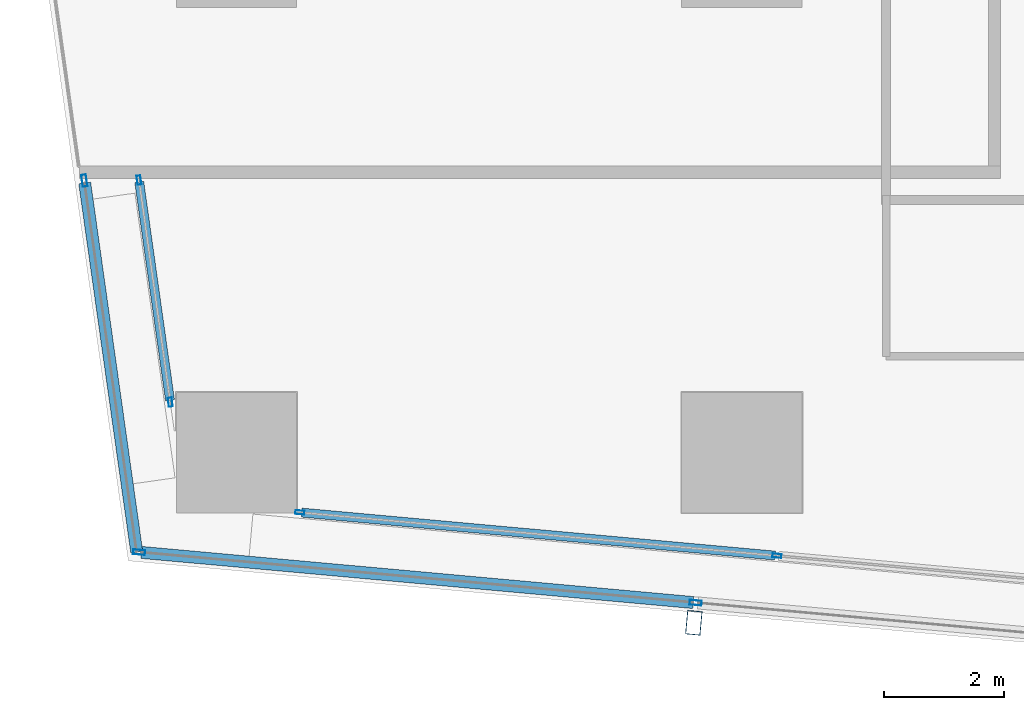
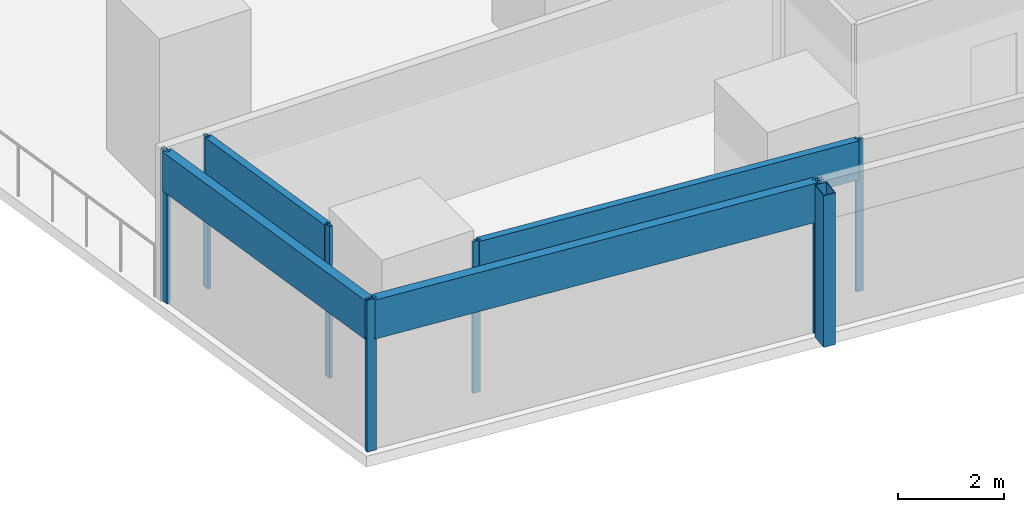
# One storey, part 2 of 36: 12 members, 4 elements without a shape of their own.
"""IFC4 building model written with IfcOpenShell, lengths in metres."""

from ifc_helpers import new_model, si_unit, direction, frame, origin, origin_2d, place, context, subcontext, project, spatial, hollow_rectangle, extrude, material, material_profile, profile_set, type_object, element, aggregate, save


model = new_model("IFC4")

# Units and contexts
model_context = context("Model", 3, precision=1e-05, world=origin(), true_north=direction((0.0, 1.0)))
body_context = subcontext(model_context, "Body", "Model", "MODEL_VIEW")
ifc_project = project(units=[si_unit("LENGTHUNIT", "METRE"), si_unit("AREAUNIT", "SQUARE_METRE"), si_unit("VOLUMEUNIT", "CUBIC_METRE"), si_unit("PLANEANGLEUNIT", "RADIAN"), si_unit("MASSUNIT", "GRAM", prefix="KILO")], contexts=[model_context])

# Site, building, storey
site_placement = place(None, origin())
site = spatial("IfcSite", under=ifc_project, at=site_placement, CompositionType="ELEMENT")
building_placement = place(site_placement, origin())
building = spatial("IfcBuilding", under=site, at=building_placement, Name="Rekha Terrace Tower", CompositionType="ELEMENT")
storey_placement = place(building_placement, frame((0.0, 0.0, 144.050048828125)))
storey = spatial("IfcBuildingStorey", under=building, at=storey_placement, Name="L36", CompositionType="ELEMENT", Elevation=144.050048828125)

# Curtain wall, member
ifc_material_1 = material(Name="Aluminium framing", Category="aluminium")
curtain_wall_type_1 = type_object("IfcCurtainWallType", Name="CW2 double skin outer glazing", PredefinedType="USERDEFINED", material=ifc_material_1)
curtain_wall_1_placement = place(storey_placement, origin())
curtain_wall_1 = element("IfcCurtainWall", 1, at=curtain_wall_1_placement, inside=storey, type_object=curtain_wall_type_1, Name="CW2 double skin outer glazing", ObjectType="DOUBLE SKIN OUTER GLAZING", PredefinedType="USERDEFINED")
ifc_material_2 = material(Name="Steel S355 with fluorocarbon finish", Category="steel")
ifc_material_profile_1 = material_profile(ifc_material_2, hollow_rectangle(XDim=0.25, YDim=0.39990234375, WallThickness=0.012451171875, at=origin_2d()), Name="RHS400x250x12.5")
ifc_profile_set_1 = profile_set([ifc_material_profile_1], Name="Steel S355 with fluorocarbon finish")
member_type_1 = type_object("IfcMemberType", Name="BL1 facade blade RHS 400 x 250", PredefinedType="USERDEFINED", material=ifc_profile_set_1)
member_1_placement = place(storey_placement, frame((16.002197265625, 13.970458984375, 0.0), z_axis=(0.0, 0.0, 1.0), x_axis=(0.995901938317, -0.090439644273, 0.0)))
member_1 = element("IfcMember", 2, at=member_1_placement, type_object=member_type_1, Name="Facade blade", ObjectType="FACADE BLADE", PredefinedType="USERDEFINED", context=body_context, shape_type="SweptSolid", body=[
    extrude(hollow_rectangle(XDim=0.25, YDim=0.39990234375, WallThickness=0.012451171875, at=origin_2d()), origin(), (0.0, 0.0, 1.0), 3.5),
])

# Curtain wall, members
curtain_wall_type_2 = type_object("IfcCurtainWallType", Name="CW1 double skin inner glazing", PredefinedType="USERDEFINED", material=ifc_material_1)
curtain_wall_2_placement = place(storey_placement, origin())
curtain_wall_2 = element("IfcCurtainWall", 3, at=curtain_wall_2_placement, inside=storey, type_object=curtain_wall_type_2, Name="CW1 double skin inner glazing", ObjectType="DOUBLE SKIN INNER GLAZING", PredefinedType="USERDEFINED")
ifc_material_3 = material(Name="Aluminium mullion section", Category="aluminium")
ifc_material_profile_2 = material_profile(ifc_material_3, hollow_rectangle(XDim=0.06494140625, YDim=0.14990234375, WallThickness=0.00390625, at=origin_2d()), Name="AL RHS 65x150")
ifc_profile_set_2 = profile_set([ifc_material_profile_2], Name="Aluminium mullion section")
member_type_2 = type_object("IfcMemberType", Name="CW1 mullion RHS 65 x 150", PredefinedType="MULLION", material=ifc_profile_set_2)
member_2_placement = place(storey_placement, frame((9.453125, 15.80517578125, 0.0), z_axis=(0.0, 0.0, 1.0), x_axis=(0.090439811381, 0.995901923142, 0.0)))
member_2 = element("IfcMember", 4, at=member_2_placement, type_object=member_type_2, Name="CW1 mullion 1", PredefinedType="MULLION", context=body_context, shape_type="SweptSolid", body=[
    extrude(hollow_rectangle(XDim=0.06494140625, YDim=0.14990234375, WallThickness=0.00390625, at=origin_2d()), origin(), (0.0, 0.0, 1.0), 3.5),
])
member_3_placement = place(storey_placement, frame((17.384033203125, 15.0849609375, 0.0), z_axis=(0.0, 0.0, 1.0), x_axis=(0.090439811381, 0.995901923142, 0.0)))
member_3 = element("IfcMember", 5, at=member_3_placement, type_object=member_type_2, Name="CW1 mullion 2", PredefinedType="MULLION", context=body_context, shape_type="SweptSolid", body=[
    extrude(hollow_rectangle(XDim=0.06494140625, YDim=0.14990234375, WallThickness=0.00390625, at=origin_2d()), origin(), (0.0, 0.0, 1.0), 3.5),
])

curtain_wall_3_placement = place(storey_placement, origin())
curtain_wall_3 = element("IfcCurtainWall", 6, at=curtain_wall_3_placement, inside=storey, type_object=curtain_wall_type_2, Name="CW1 double skin inner glazing", ObjectType="DOUBLE SKIN INNER GLAZING", PredefinedType="USERDEFINED")
member_4_placement = place(storey_placement, frame((6.7783203125, 21.328857421875, 0.0), z_axis=(0.0, 0.0, 1.0), x_axis=(0.990208394291, 0.139597048237, 0.0)))
member_4 = element("IfcMember", 7, at=member_4_placement, type_object=member_type_2, Name="CW1 mullion 1", PredefinedType="MULLION", context=body_context, shape_type="SweptSolid", body=[
    extrude(hollow_rectangle(XDim=0.06494140625, YDim=0.14990234375, WallThickness=0.00390625, at=origin_2d()), origin(), (0.0, 0.0, 1.0), 3.5),
])
member_5_placement = place(storey_placement, frame((7.298583984375, 17.637939453125, 0.0), z_axis=(0.0, 0.0, 1.0), x_axis=(0.990208394291, 0.139597048237, 0.0)))
member_5 = element("IfcMember", 8, at=member_5_placement, type_object=member_type_2, Name="CW1 mullion 2", PredefinedType="MULLION", context=body_context, shape_type="SweptSolid", body=[
    extrude(hollow_rectangle(XDim=0.06494140625, YDim=0.14990234375, WallThickness=0.00390625, at=origin_2d()), origin(), (0.0, 0.0, 1.0), 3.5),
])

# Member
ifc_material_4 = material(Name="Insulated aluminium spandrel box", Category="aluminium")
ifc_material_profile_3 = material_profile(ifc_material_4, hollow_rectangle(XDim=0.14990234375, YDim=0.89990234375, WallThickness=0.0029296875, at=origin_2d()), Name="AL SPANDREL BOX 150x900")
ifc_profile_set_3 = profile_set([ifc_material_profile_3], Name="Insulated aluminium spandrel box")
member_type_3 = type_object("IfcMemberType", Name="CW1 spandrel transom 150 x 900", PredefinedType="USERDEFINED", material=ifc_profile_set_3)
member_6_placement = place(storey_placement, frame((9.485595703125, 15.80224609375, 3.050048828125), z_axis=(0.995901816063, -0.090440990497, 0.0), x_axis=(0.090440990497, 0.995901816063, 0.0)))
member_6 = element("IfcMember", 9, at=member_6_placement, type_object=member_type_3, Name="CW1 spandrel transom 1", ObjectType="TRANSOM", PredefinedType="USERDEFINED", context=body_context, shape_type="SweptSolid", body=[
    extrude(hollow_rectangle(XDim=0.14990234375, YDim=0.89990234375, WallThickness=0.0029296875, at=origin_2d()), origin(), (0.0, 0.0, 1.0), 7.898681640625),
])

aggregate(curtain_wall_2, [member_2, member_3, member_6])

member_7_placement = place(storey_placement, frame((6.78271484375, 21.296630859375, 3.050048828125), z_axis=(0.139591887776, -0.990209121786, 0.0), x_axis=(0.990209121786, 0.139591887776, 0.0)))
member_7 = element("IfcMember", 10, at=member_7_placement, type_object=member_type_3, Name="CW1 spandrel transom 1", ObjectType="TRANSOM", PredefinedType="USERDEFINED", context=body_context, shape_type="SweptSolid", body=[
    extrude(hollow_rectangle(XDim=0.14990234375, YDim=0.89990234375, WallThickness=0.0029296875, at=origin_2d()), origin(), (0.0, 0.0, 1.0), 3.662353515625),
])

aggregate(curtain_wall_3, [member_4, member_5, member_7])

ifc_material_profile_4 = material_profile(ifc_material_3, hollow_rectangle(XDim=0.080078125, YDim=0.199951171875, WallThickness=0.00390625, at=origin_2d()), Name="AL RHS 80x200")
ifc_profile_set_4 = profile_set([ifc_material_profile_4], Name="Aluminium mullion section")
member_type_4 = type_object("IfcMemberType", Name="CW2 mullion RHS 80 x 200", PredefinedType="MULLION", material=ifc_profile_set_4)
member_8_placement = place(storey_placement, frame((6.780517578125, 15.144287109375, 0.0), z_axis=(0.0, 0.0, 1.0), x_axis=(0.090439811433, 0.995901923137, 0.0)))
member_8 = element("IfcMember", 11, at=member_8_placement, type_object=member_type_4, Name="CW2 mullion 1", PredefinedType="MULLION", context=body_context, shape_type="SweptSolid", body=[
    extrude(hollow_rectangle(XDim=0.080078125, YDim=0.199951171875, WallThickness=0.00390625, at=origin_2d()), origin(), (0.0, 0.0, 1.0), 3.5),
])

member_9_placement = place(storey_placement, frame((16.032470703125, 14.30419921875, 0.0), z_axis=(0.0, 0.0, 1.0), x_axis=(0.090439811433, 0.995901923137, 0.0)))
member_9 = element("IfcMember", 12, at=member_9_placement, type_object=member_type_4, Name="CW2 mullion 2", PredefinedType="MULLION", context=body_context, shape_type="SweptSolid", body=[
    extrude(hollow_rectangle(XDim=0.080078125, YDim=0.199951171875, WallThickness=0.00390625, at=origin_2d()), origin(), (0.0, 0.0, 1.0), 3.5),
])

# Curtain wall, member
curtain_wall_4_placement = place(storey_placement, origin())
curtain_wall_4 = element("IfcCurtainWall", 13, at=curtain_wall_4_placement, inside=storey, type_object=curtain_wall_type_1, Name="CW2 double skin outer glazing", ObjectType="DOUBLE SKIN OUTER GLAZING", PredefinedType="USERDEFINED")
member_10_placement = place(storey_placement, frame((5.870361328125, 21.3212890625, 0.0), z_axis=(0.0, 0.0, 1.0), x_axis=(0.99020839431, 0.139597048099, 0.0)))
member_10 = element("IfcMember", 14, at=member_10_placement, type_object=member_type_4, Name="CW2 mullion 1", PredefinedType="MULLION", context=body_context, shape_type="SweptSolid", body=[
    extrude(hollow_rectangle(XDim=0.080078125, YDim=0.199951171875, WallThickness=0.00390625, at=origin_2d()), origin(), (0.0, 0.0, 1.0), 3.5),
])

# Member
ifc_material_profile_5 = material_profile(ifc_material_4, hollow_rectangle(XDim=0.199951171875, YDim=0.89990234375, WallThickness=0.0029296875, at=origin_2d()), Name="AL SPANDREL BOX 200x900")
ifc_profile_set_5 = profile_set([ifc_material_profile_5], Name="Insulated aluminium spandrel box")
member_type_5 = type_object("IfcMemberType", Name="CW2 spandrel transom 200 x 900", PredefinedType="USERDEFINED", material=ifc_profile_set_5)
member_11_placement = place(storey_placement, frame((6.8203125, 15.140625, 3.050048828125), z_axis=(0.995901458883, -0.090444923548, 0.0), x_axis=(0.090444923548, 0.995901458883, 0.0)))
member_11 = element("IfcMember", 15, at=member_11_placement, type_object=member_type_5, Name="CW2 spandrel transom 1", ObjectType="TRANSOM", PredefinedType="USERDEFINED", context=body_context, shape_type="SweptSolid", body=[
    extrude(hollow_rectangle(XDim=0.199951171875, YDim=0.89990234375, WallThickness=0.0029296875, at=origin_2d()), origin(), (0.0, 0.0, 1.0), 9.210205078125),
])

aggregate(curtain_wall_1, [member_8, member_9, member_11, member_1])

member_12_placement = place(storey_placement, frame((5.8759765625, 21.28173828125, 3.050048828125), z_axis=(0.139600244255, -0.990207943719, 0.0), x_axis=(0.990207943719, 0.139600244255, 0.0)))
member_12 = element("IfcMember", 16, at=member_12_placement, type_object=member_type_5, Name="CW2 spandrel transom 1", ObjectType="TRANSOM", PredefinedType="USERDEFINED", context=body_context, shape_type="SweptSolid", body=[
    extrude(hollow_rectangle(XDim=0.199951171875, YDim=0.89990234375, WallThickness=0.0029296875, at=origin_2d()), origin(), (0.0, 0.0, 1.0), 6.1943359375),
])

aggregate(curtain_wall_4, [member_10, member_12])

save(model, "model.ifc")
